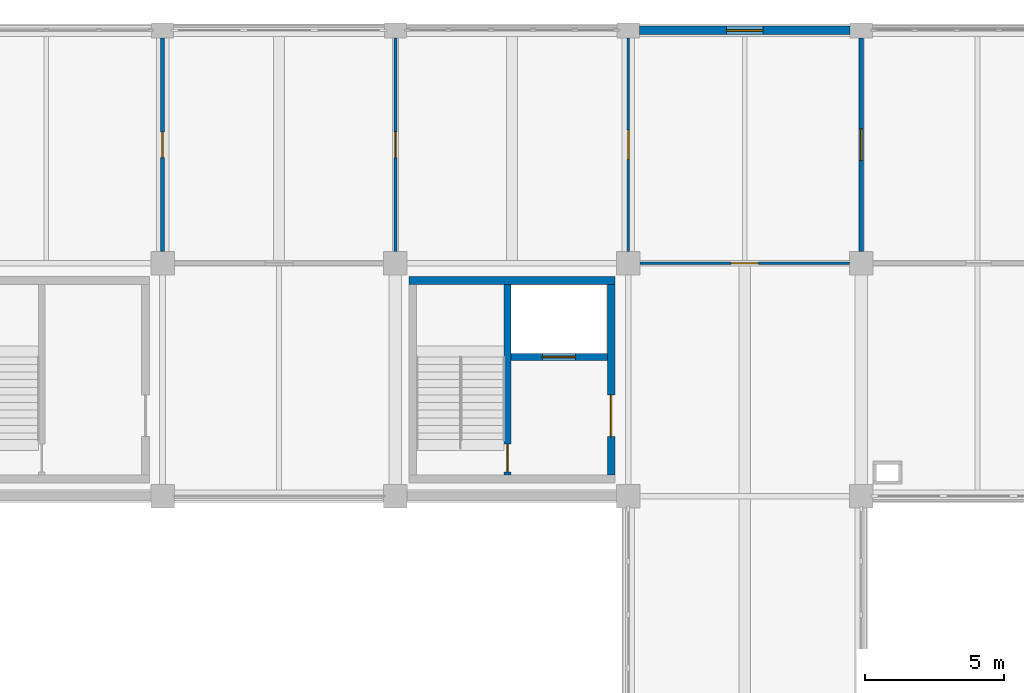
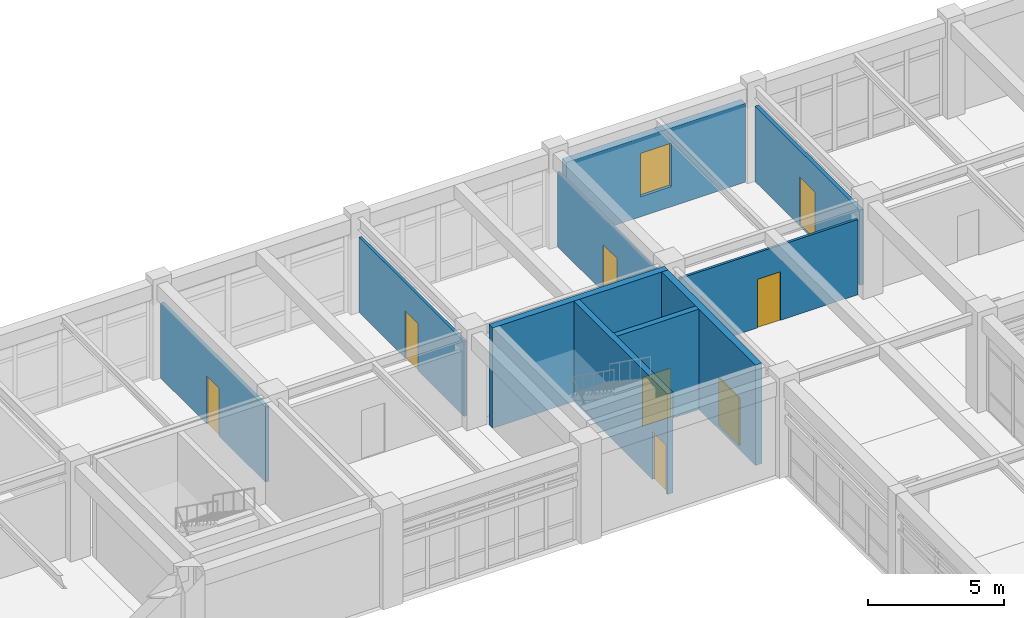
# One storey, part 69 of 78: 10 walls, 8 doors, 1 window, 9 openings.
"""IFC4 building model written with IfcOpenShell, lengths in metres."""

from ifc_helpers import new_model, si_unit, direction, frame, frame_2d, origin, place, context, subcontext, project, spatial, rectangle, extrude, material, layer, layer_set, type_object, element, fill, save


model = new_model("IFC4")

# Units and contexts
model_context = context("Model", 3, precision=1e-05, world=origin(), true_north=direction((0.0, 1.0)))
body_context = subcontext(model_context, "Body", "Model", "MODEL_VIEW")
ifc_project = project(units=[si_unit("LENGTHUNIT", "METRE"), si_unit("AREAUNIT", "SQUARE_METRE"), si_unit("VOLUMEUNIT", "CUBIC_METRE"), si_unit("PLANEANGLEUNIT", "RADIAN"), si_unit("MASSUNIT", "GRAM", prefix="KILO")], contexts=[model_context])

# Site, building, storey
site_placement = place(None, origin())
site = spatial("IfcSite", under=ifc_project, at=site_placement, CompositionType="ELEMENT")
building_placement = place(site_placement, origin())
building = spatial("IfcBuilding", under=site, at=building_placement, Name="Porcellanite Civic Hall", CompositionType="ELEMENT")
storey_placement = place(building_placement, frame((0.0, 0.0, 10.260009765625)))
storey = spatial("IfcBuildingStorey", under=building, at=storey_placement, Name="L02", CompositionType="ELEMENT", Elevation=10.260009765625)

# Wall, opening, door
ifc_material_1 = material(Name="Concrete N40 (40 MPa)", Category="concrete")
ifc_layer_1 = layer(ifc_material_1, 0.239990234375)
ifc_layer_set_1 = layer_set([ifc_layer_1], Name="Concrete N40 (40 MPa)")
wall_type_1 = type_object("IfcWallType", Name="CW-SH240", PredefinedType="SHEAR", material=ifc_layer_set_1)
wall_1_placement = place(storey_placement, frame((113.239990234375, 101.56005859375, 0.0), z_axis=(0.0, 0.0, 1.0), x_axis=(0.0, 1.0, 0.0)))
wall_1 = element("IfcWall", 1, at=wall_1_placement, inside=storey, type_object=wall_type_1, Name="Core divider C4 L02", PredefinedType="SHEAR", context=body_context, shape_type="SweptSolid", body=[
    extrude(rectangle(XDim=6.8798828125, YDim=0.239990234375, at=frame_2d((3.43994140625, 0.0))), origin(), (0.0, 0.0, 1.0), 4.5),
])
opening_1_placement = place(wall_1_placement, frame((0.1201171875, 0.0, 0.0)))
opening_1 = element("IfcOpeningElement", 2, at=opening_1_placement, cuts=wall_1, Name="Opening FD-C4-L02-ST", PredefinedType="OPENING", context=body_context, shape_type="SweptSolid", body=[
    extrude(rectangle(XDim=1.0, YDim=2.14990234375, at=frame_2d((0.5, 1.074951171875))), frame((0.0, 0.1201171875, 0.0), z_axis=(0.0, -1.0, 0.0), x_axis=(1.0, 0.0, 0.0)), (0.0, 0.0, 1.0), 0.239990234375),
])
ifc_material_2 = material(Name="Fire-rated solid-core hardwood timber", Category="wood")
door_type_1 = type_object("IfcDoorType", Name="DR-FD100", OperationType="NOTDEFINED", PredefinedType="DOOR", material=ifc_material_2)
door_1_placement = place(opening_1_placement, origin())
door_1 = element("IfcDoor", 3, at=door_1_placement, inside=storey, type_object=door_type_1, Name="Fire stair door FD-C4-L02-ST", OperationType="SINGLE_SWING_LEFT", OverallHeight=2.14990234375, OverallWidth=1.0, PredefinedType="DOOR", context=body_context, shape_type="SweptSolid", body=[
    extrude(rectangle(XDim=1.0, YDim=2.14990234375, at=frame_2d((0.5, 1.074951171875))), frame((0.0, 0.02490234375, 0.0), z_axis=(0.0, -1.0, 0.0), x_axis=(1.0, 0.0, 0.0)), (0.0, 0.0, 1.0), 0.050048828125),
])
fill(opening_1, door_1)

wall_2_placement = place(storey_placement, frame((113.360107421875, 105.820068359375, 0.0), z_axis=(0.0, 0.0, 1.0), x_axis=(1.0, 0.0, 0.0)))
wall_2 = element("IfcWall", 4, at=wall_2_placement, inside=storey, type_object=wall_type_1, Name="Lift shaft wall C4 L02", PredefinedType="SHEAR", context=body_context, shape_type="SweptSolid", body=[
    extrude(rectangle(XDim=3.47998046875, YDim=0.239990234375, at=frame_2d((1.739990234375, 0.0))), origin(), (0.0, 0.0, 1.0), 4.5),
])
opening_2_placement = place(wall_2_placement, frame((1.139892578125, 0.0, 0.0)))
opening_2 = element("IfcOpeningElement", 5, at=opening_2_placement, cuts=wall_2, Name="Opening LD-02", PredefinedType="OPENING", context=body_context, shape_type="SweptSolid", body=[
    extrude(rectangle(XDim=1.199951171875, YDim=2.199951171875, at=frame_2d((0.60009765625, 1.10009765625))), frame((0.0, 0.1201171875, 0.0), z_axis=(0.0, -1.0, 0.0), x_axis=(1.0, 0.0, 0.0)), (0.0, 0.0, 1.0), 0.239990234375),
])
ifc_material_3 = material(Name="Brushed stainless steel 316", Category="steel")
door_type_2 = type_object("IfcDoorType", Name="DR-LD120", OperationType="DOUBLE_DOOR_SLIDING", PredefinedType="DOOR", material=ifc_material_3)
door_2_placement = place(opening_2_placement, origin())
door_2 = element("IfcDoor", 6, at=door_2_placement, inside=storey, type_object=door_type_2, Name="Lift landing sliding door LD-02 L02", OperationType="DOUBLE_DOOR_SLIDING", OverallHeight=2.199951171875, OverallWidth=1.199951171875, PredefinedType="DOOR", context=body_context, shape_type="SweptSolid", body=[
    extrude(rectangle(XDim=1.199951171875, YDim=2.199951171875, at=frame_2d((0.60009765625, 1.10009765625))), frame((0.0, 0.02490234375, 0.0), z_axis=(0.0, -1.0, 0.0), x_axis=(1.0, 0.0, 0.0)), (0.0, 0.0, 1.0), 0.050048828125),
])
fill(opening_2, door_2)

# Wall
ifc_material_4 = material(Name="Concrete N40 (40 MPa)", Category="concrete")
ifc_layer_2 = layer(ifc_material_4, 0.280029296875)
ifc_layer_set_2 = layer_set([ifc_layer_2], Name="Concrete N40 (40 MPa)")
wall_type_2 = type_object("IfcWallType", Name="CW-SH280", PredefinedType="SHEAR", material=ifc_layer_set_2)
wall_3_placement = place(storey_placement, frame((109.679931640625, 108.580078125, 0.0), z_axis=(0.0, 0.0, 1.0), x_axis=(1.0, 0.0, 0.0)))
element("IfcWall", 7, at=wall_3_placement, inside=storey, type_object=wall_type_2, Name="Core wall C4 L02 N", PredefinedType="SHEAR", context=body_context, shape_type="SweptSolid", body=[
    extrude(rectangle(XDim=7.440185546875, YDim=0.280029296875, at=frame_2d((3.72021484375, 0.0))), origin(), (0.0, 0.0, 1.0), 4.5),
])

# Wall, opening, door
wall_4_placement = place(storey_placement, frame((116.97998046875, 108.43994140625, 0.0), z_axis=(0.0, 0.0, 1.0), x_axis=(0.0, -1.0, 0.0)))
wall_4 = element("IfcWall", 8, at=wall_4_placement, inside=storey, type_object=wall_type_2, Name="Core wall C4 L02 E", PredefinedType="SHEAR", context=body_context, shape_type="SweptSolid", body=[
    extrude(rectangle(XDim=6.8798828125, YDim=0.280029296875, at=frame_2d((3.43994140625, 0.0))), origin(), (0.0, 0.0, 1.0), 4.5),
])
opening_3_placement = place(wall_4_placement, frame((3.989990234375, 0.0, 0.0)))
opening_3 = element("IfcOpeningElement", 9, at=opening_3_placement, cuts=wall_4, Name="Opening FD-C4-L02-LB", PredefinedType="OPENING", context=body_context, shape_type="SweptSolid", body=[
    extrude(rectangle(XDim=1.5, YDim=2.14990234375, at=frame_2d((0.75, 1.074951171875))), frame((0.0, 0.14013671875, 0.0), z_axis=(0.0, -1.0, 0.0), x_axis=(1.0, 0.0, 0.0)), (0.0, 0.0, 1.0), 0.280029296875),
])
ifc_material_5 = material(Name="Fire-rated steel and Georgian wired glass", Category="steel")
door_type_3 = type_object("IfcDoorType", Name="DR-FD150", OperationType="DOUBLE_DOOR_SINGLE_SWING", PredefinedType="DOOR", material=ifc_material_5)
door_3_placement = place(opening_3_placement, origin())
door_3 = element("IfcDoor", 10, at=door_3_placement, inside=storey, type_object=door_type_3, Name="Fire lobby double door FD-C4-L02-LB", OperationType="DOUBLE_DOOR_SINGLE_SWING", OverallHeight=2.14990234375, OverallWidth=1.5, PredefinedType="DOOR", context=body_context, shape_type="SweptSolid", body=[
    extrude(rectangle(XDim=1.5, YDim=2.14990234375, at=frame_2d((0.75, 1.074951171875))), frame((0.0, 0.02490234375, 0.0), z_axis=(0.0, -1.0, 0.0), x_axis=(1.0, 0.0, 0.0)), (0.0, 0.0, 1.0), 0.050048828125),
])
fill(opening_3, door_3)

# Wall, opening, window
ifc_material_6 = material(Name="Precast concrete N40 (40 MPa)", Category="concrete")
ifc_layer_3 = layer(ifc_material_6, 0.300048828125)
ifc_layer_set_3 = layer_set([ifc_layer_3], Name="Precast concrete N40 (40 MPa)")
wall_type_3 = type_object("IfcWallType", Name="EW-ADM300", PredefinedType="SOLIDWALL", material=ifc_layer_set_3)
wall_5_placement = place(storey_placement, frame((118.0009765625, 117.60009765625, 0.0), z_axis=(0.0, 0.0, 1.0), x_axis=(1.0, 0.0, 0.0)))
wall_5 = element("IfcWall", 11, at=wall_5_placement, inside=storey, type_object=wall_type_3, Name="Exterior wall L02 N 15-14", PredefinedType="SOLIDWALL", context=body_context, shape_type="SweptSolid", body=[
    extrude(rectangle(XDim=7.59814453125, YDim=0.300048828125, at=frame_2d((3.799072265625, 0.0))), origin(), (0.0, 0.0, 1.0), 3.5400390625),
])
opening_4_placement = place(wall_5_placement, frame((3.14892578125, 0.0, 0.89990234375)))
opening_4 = element("IfcOpeningElement", 12, at=opening_4_placement, cuts=wall_5, Name="Opening W34", PredefinedType="OPENING", context=body_context, shape_type="SweptSolid", body=[
    extrude(rectangle(XDim=1.300048828125, YDim=1.949951171875, at=frame_2d((0.64990234375, 0.97509765625))), frame((0.0, 0.14990234375, 0.0), z_axis=(0.0, -1.0, 0.0), x_axis=(1.0, 0.0, 0.0)), (0.0, 0.0, 1.0), 0.300048828125),
])
ifc_material_7 = material(Name="Cyclone laminated low-E glazing in anodised aluminium frame", Category="aluminium")
window_type = type_object("IfcWindowType", Name="WN-34", PartitioningType="SINGLE_PANEL", PredefinedType="WINDOW", material=ifc_material_7)
window_placement = place(opening_4_placement, origin())
window = element("IfcWindow", 13, at=window_placement, inside=storey, type_object=window_type, Name="Window W34 L02 N 15-14", OverallHeight=1.949951171875, OverallWidth=1.300048828125, PartitioningType="SINGLE_PANEL", PredefinedType="WINDOW", context=body_context, shape_type="SweptSolid", body=[
    extrude(rectangle(XDim=1.300048828125, YDim=1.949951171875, at=frame_2d((0.64990234375, 0.97509765625))), frame((0.0, 0.030029296875, 0.0), z_axis=(0.0, -1.0, 0.0), x_axis=(1.0, 0.0, 0.0)), (0.0, 0.0, 1.0), 0.06005859375),
])
fill(opening_4, window)

# Wall, opening, door
ifc_material_8 = material(Name="Fire-rated plasterboard on light-gauge steel studs", Category="steel")
ifc_layer_4 = layer(ifc_material_8, 0.159912109375)
ifc_layer_set_4 = layer_set([ifc_layer_4], Name="Fire-rated plasterboard on light-gauge steel studs")
wall_type_4 = type_object("IfcWallType", Name="IW-FR160", PredefinedType="PARTITIONING", material=ifc_layer_set_4)
wall_6_placement = place(storey_placement, frame((126.0, 109.626953125, 0.0), z_axis=(0.0, 0.0, 1.0), x_axis=(0.0, 1.0, 0.0)))
wall_6 = element("IfcWall", 14, at=wall_6_placement, inside=storey, type_object=wall_type_4, Name="Fire compartment wall L02 V 15-14", PredefinedType="PARTITIONING", context=body_context, shape_type="SweptSolid", body=[
    extrude(rectangle(XDim=7.696044921875, YDim=0.159912109375, at=frame_2d((3.84814453125, 0.0))), origin(), (0.0, 0.0, 1.0), 3.369873046875),
])
opening_5_placement = place(wall_6_placement, frame((3.27294921875, 0.0, 0.0)))
opening_5 = element("IfcOpeningElement", 15, at=opening_5_placement, cuts=wall_6, Name="Opening D-L02-382", PredefinedType="OPENING", context=body_context, shape_type="SweptSolid", body=[
    extrude(rectangle(XDim=1.14990234375, YDim=2.199951171875, at=frame_2d((0.574951171875, 1.10009765625))), frame((0.0, 0.080078125, 0.0), z_axis=(0.0, -1.0, 0.0), x_axis=(1.0, 0.0, 0.0)), (0.0, 0.0, 1.0), 0.159912109375),
])
ifc_material_9 = material(Name="Fire-rated solid-core hardwood timber", Category="wood")
door_type_4 = type_object("IfcDoorType", Name="DR-FD115", OperationType="NOTDEFINED", PredefinedType="DOOR", material=ifc_material_9)
door_4_placement = place(opening_5_placement, origin())
door_4 = element("IfcDoor", 16, at=door_4_placement, inside=storey, type_object=door_type_4, Name="Interior door D-L02-382", OperationType="SINGLE_SWING_RIGHT", OverallHeight=2.199951171875, OverallWidth=1.14990234375, PredefinedType="DOOR", context=body_context, shape_type="SweptSolid", body=[
    extrude(rectangle(XDim=1.14990234375, YDim=2.199951171875, at=frame_2d((0.574951171875, 1.10009765625))), frame((0.0, 0.02490234375, 0.0), z_axis=(0.0, -1.0, 0.0), x_axis=(1.0, 0.0, 0.0)), (0.0, 0.0, 1.0), 0.050048828125),
])
fill(opening_5, door_4)

ifc_material_10 = material(Name="Insulated acoustic plasterboard on light-gauge steel studs", Category="steel")
ifc_layer_5 = layer(ifc_material_10, 0.087890625)
ifc_layer_set_5 = layer_set([ifc_layer_5], Name="Insulated acoustic plasterboard on light-gauge steel studs")
wall_type_5 = type_object("IfcWallType", Name="IW-PT088", PredefinedType="PARTITIONING", material=ifc_layer_set_5)
wall_7_placement = place(storey_placement, frame((117.60009765625, 109.626953125, 0.0), z_axis=(0.0, 0.0, 1.0), x_axis=(0.0, 1.0, 0.0)))
wall_7 = element("IfcWall", 17, at=wall_7_placement, inside=storey, type_object=wall_type_5, Name="Partition L02 V 14-14", PredefinedType="PARTITIONING", context=body_context, shape_type="SweptSolid", body=[
    extrude(rectangle(XDim=7.696044921875, YDim=0.087890625, at=frame_2d((3.84814453125, 0.0))), origin(), (0.0, 0.0, 1.0), 3.369873046875),
])
opening_6_placement = place(wall_7_placement, frame((3.322998046875, 0.0, 0.0)))
opening_6 = element("IfcOpeningElement", 18, at=opening_6_placement, cuts=wall_7, Name="Opening D-L02-399", PredefinedType="OPENING", context=body_context, shape_type="SweptSolid", body=[
    extrude(rectangle(XDim=1.050048828125, YDim=2.1201171875, at=frame_2d((0.52490234375, 1.06005859375))), frame((0.0, 0.0439453125, 0.0), z_axis=(0.0, -1.0, 0.0), x_axis=(1.0, 0.0, 0.0)), (0.0, 0.0, 1.0), 0.087890625),
])
ifc_material_11 = material(Name="Solid-core spotted-gum timber", Category="wood")
door_type_5 = type_object("IfcDoorType", Name="DR-RM105", OperationType="NOTDEFINED", PredefinedType="DOOR", material=ifc_material_11)
door_5_placement = place(opening_6_placement, origin())
door_5 = element("IfcDoor", 19, at=door_5_placement, inside=storey, type_object=door_type_5, Name="Interior door D-L02-399", OperationType="SINGLE_SWING_LEFT", OverallHeight=2.1201171875, OverallWidth=1.050048828125, PredefinedType="DOOR", context=body_context, shape_type="SweptSolid", body=[
    extrude(rectangle(XDim=1.050048828125, YDim=2.1201171875, at=frame_2d((0.52490234375, 1.06005859375))), frame((0.0, 0.02490234375, 0.0), z_axis=(0.0, -1.0, 0.0), x_axis=(1.0, 0.0, 0.0)), (0.0, 0.0, 1.0), 0.050048828125),
])
fill(opening_6, door_5)

ifc_material_12 = material(Name="Insulated acoustic plasterboard on light-gauge steel studs", Category="steel")
ifc_layer_6 = layer(ifc_material_12, 0.10498046875)
ifc_layer_set_6 = layer_set([ifc_layer_6], Name="Insulated acoustic plasterboard on light-gauge steel studs")
wall_type_6 = type_object("IfcWallType", Name="IW-PT105", PredefinedType="PARTITIONING", material=ifc_layer_set_6)
wall_8_placement = place(storey_placement, frame((118.027099609375, 109.199951171875, 0.0), z_axis=(0.0, 0.0, 1.0), x_axis=(1.0, 0.0, 0.0)))
wall_8 = element("IfcWall", 20, at=wall_8_placement, inside=storey, type_object=wall_type_6, Name="Partition L02 H 15-13", PredefinedType="PARTITIONING", context=body_context, shape_type="SweptSolid", body=[
    extrude(rectangle(XDim=7.5458984375, YDim=0.10498046875, at=frame_2d((3.77294921875, 0.0))), origin(), (0.0, 0.0, 1.0), 3.369873046875),
])
opening_7_placement = place(wall_8_placement, frame((3.282958984375, 0.0, 0.0)))
opening_7 = element("IfcOpeningElement", 21, at=opening_7_placement, cuts=wall_8, Name="Opening D-L02-343", PredefinedType="OPENING", context=body_context, shape_type="SweptSolid", body=[
    extrude(rectangle(XDim=0.97998046875, YDim=2.179931640625, at=frame_2d((0.489990234375, 1.08984375))), frame((0.0, 0.052490234375, 0.0), z_axis=(0.0, -1.0, 0.0), x_axis=(1.0, 0.0, 0.0)), (0.0, 0.0, 1.0), 0.10498046875),
])
ifc_material_13 = material(Name="Solid-core spotted-gum timber", Category="wood")
door_type_6 = type_object("IfcDoorType", Name="DR-RM098", OperationType="NOTDEFINED", PredefinedType="DOOR", material=ifc_material_13)
door_6_placement = place(opening_7_placement, origin())
door_6 = element("IfcDoor", 22, at=door_6_placement, inside=storey, type_object=door_type_6, Name="Interior door D-L02-343", OperationType="SINGLE_SWING_LEFT", OverallHeight=2.179931640625, OverallWidth=0.97998046875, PredefinedType="DOOR", context=body_context, shape_type="SweptSolid", body=[
    extrude(rectangle(XDim=0.97998046875, YDim=2.179931640625, at=frame_2d((0.489990234375, 1.08984375))), frame((0.0, 0.02490234375, 0.0), z_axis=(0.0, -1.0, 0.0), x_axis=(1.0, 0.0, 0.0)), (0.0, 0.0, 1.0), 0.050048828125),
])
fill(opening_7, door_6)

ifc_material_14 = material(Name="Insulated acoustic plasterboard on light-gauge steel studs", Category="steel")
ifc_layer_7 = layer(ifc_material_14, 0.114990234375)
ifc_layer_set_7 = layer_set([ifc_layer_7], Name="Insulated acoustic plasterboard on light-gauge steel studs")
wall_type_7 = type_object("IfcWallType", Name="IW-PT115", PredefinedType="PARTITIONING", material=ifc_layer_set_7)
wall_9_placement = place(storey_placement, frame((109.199951171875, 109.626953125, 0.0), z_axis=(0.0, 0.0, 1.0), x_axis=(0.0, 1.0, 0.0)))
wall_9 = element("IfcWall", 23, at=wall_9_placement, inside=storey, type_object=wall_type_7, Name="Partition L02 V 13-14", PredefinedType="PARTITIONING", context=body_context, shape_type="SweptSolid", body=[
    extrude(rectangle(XDim=7.696044921875, YDim=0.114990234375, at=frame_2d((3.84814453125, 0.0))), origin(), (0.0, 0.0, 1.0), 3.369873046875),
])
opening_8_placement = place(wall_9_placement, frame((3.383056640625, 0.0, 0.0)))
opening_8 = element("IfcOpeningElement", 24, at=opening_8_placement, cuts=wall_9, Name="Opening D-L02-376", PredefinedType="OPENING", context=body_context, shape_type="SweptSolid", body=[
    extrude(rectangle(XDim=0.929931640625, YDim=2.1201171875, at=frame_2d((0.46484375, 1.06005859375))), frame((0.0, 0.0576171875, 0.0), z_axis=(0.0, -1.0, 0.0), x_axis=(1.0, 0.0, 0.0)), (0.0, 0.0, 1.0), 0.114990234375),
])
ifc_material_15 = material(Name="Solid-core spotted-gum timber", Category="wood")
door_type_7 = type_object("IfcDoorType", Name="DR-RM093", OperationType="NOTDEFINED", PredefinedType="DOOR", material=ifc_material_15)
door_7_placement = place(opening_8_placement, origin())
door_7 = element("IfcDoor", 25, at=door_7_placement, inside=storey, type_object=door_type_7, Name="Interior door D-L02-376", OperationType="SINGLE_SWING_RIGHT", OverallHeight=2.1201171875, OverallWidth=0.929931640625, PredefinedType="DOOR", context=body_context, shape_type="SweptSolid", body=[
    extrude(rectangle(XDim=0.929931640625, YDim=2.1201171875, at=frame_2d((0.46484375, 1.06005859375))), frame((0.0, 0.02490234375, 0.0), z_axis=(0.0, -1.0, 0.0), x_axis=(1.0, 0.0, 0.0)), (0.0, 0.0, 1.0), 0.050048828125),
])
fill(opening_8, door_7)

ifc_material_16 = material(Name="Insulated acoustic plasterboard on light-gauge steel studs", Category="steel")
ifc_layer_8 = layer(ifc_material_16, 0.14501953125)
ifc_layer_set_8 = layer_set([ifc_layer_8], Name="Insulated acoustic plasterboard on light-gauge steel studs")
wall_type_8 = type_object("IfcWallType", Name="IW-PT145", PredefinedType="PARTITIONING", material=ifc_layer_set_8)
wall_10_placement = place(storey_placement, frame((100.800048828125, 109.626953125, 0.0), z_axis=(0.0, 0.0, 1.0), x_axis=(0.0, 1.0, 0.0)))
wall_10 = element("IfcWall", 26, at=wall_10_placement, inside=storey, type_object=wall_type_8, Name="Partition L02 V 12-14", PredefinedType="PARTITIONING", context=body_context, shape_type="SweptSolid", body=[
    extrude(rectangle(XDim=7.696044921875, YDim=0.14501953125, at=frame_2d((3.84814453125, 0.0))), origin(), (0.0, 0.0, 1.0), 3.369873046875),
])
opening_9_placement = place(wall_10_placement, frame((3.387939453125, 0.0, 0.0)))
opening_9 = element("IfcOpeningElement", 27, at=opening_9_placement, cuts=wall_10, Name="Opening D-L02-398", PredefinedType="OPENING", context=body_context, shape_type="SweptSolid", body=[
    extrude(rectangle(XDim=0.919921875, YDim=2.14990234375, at=frame_2d((0.4599609375, 1.074951171875))), frame((0.0, 0.072509765625, 0.0), z_axis=(0.0, -1.0, 0.0), x_axis=(1.0, 0.0, 0.0)), (0.0, 0.0, 1.0), 0.14501953125),
])
ifc_material_17 = material(Name="Solid-core spotted-gum timber", Category="wood")
door_type_8 = type_object("IfcDoorType", Name="DR-RM092", OperationType="NOTDEFINED", PredefinedType="DOOR", material=ifc_material_17)
door_8_placement = place(opening_9_placement, origin())
door_8 = element("IfcDoor", 28, at=door_8_placement, inside=storey, type_object=door_type_8, Name="Interior door D-L02-398", OperationType="SINGLE_SWING_RIGHT", OverallHeight=2.14990234375, OverallWidth=0.919921875, PredefinedType="DOOR", context=body_context, shape_type="SweptSolid", body=[
    extrude(rectangle(XDim=0.919921875, YDim=2.14990234375, at=frame_2d((0.4599609375, 1.074951171875))), frame((0.0, 0.02490234375, 0.0), z_axis=(0.0, -1.0, 0.0), x_axis=(1.0, 0.0, 0.0)), (0.0, 0.0, 1.0), 0.050048828125),
])
fill(opening_9, door_8)

save(model, "model.ifc")
